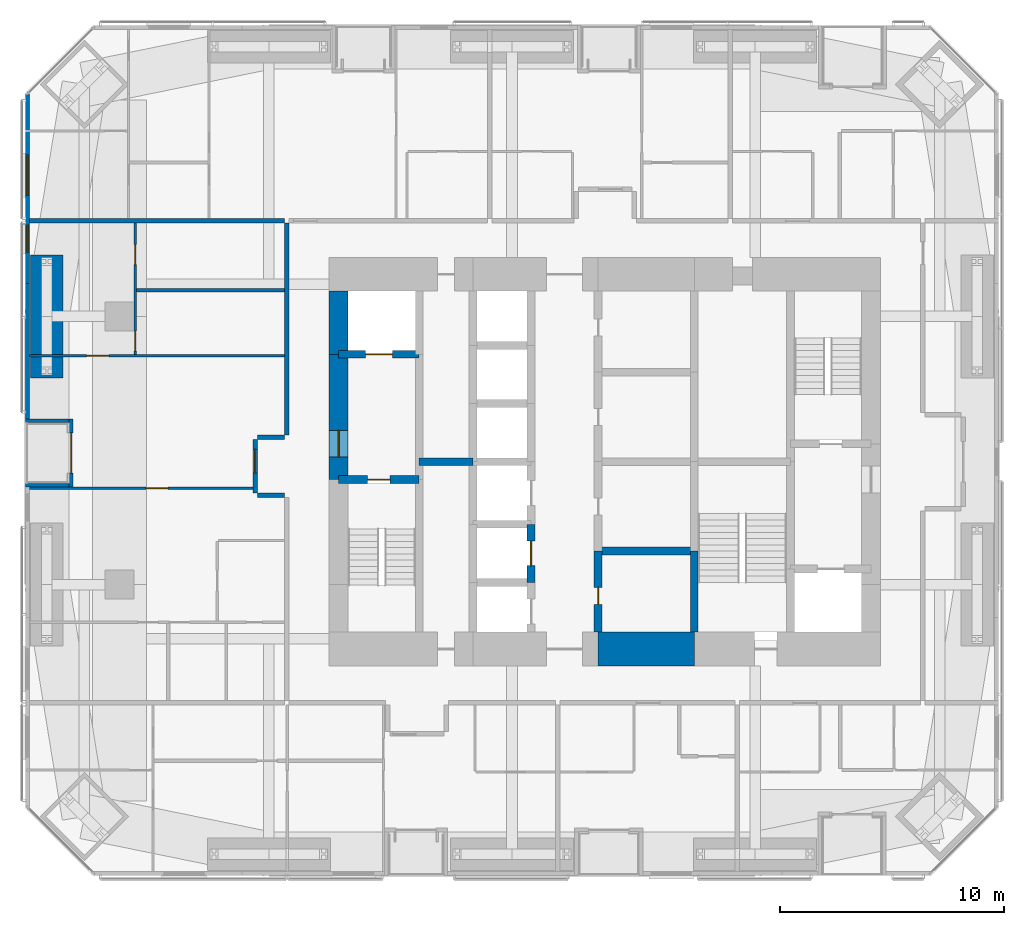
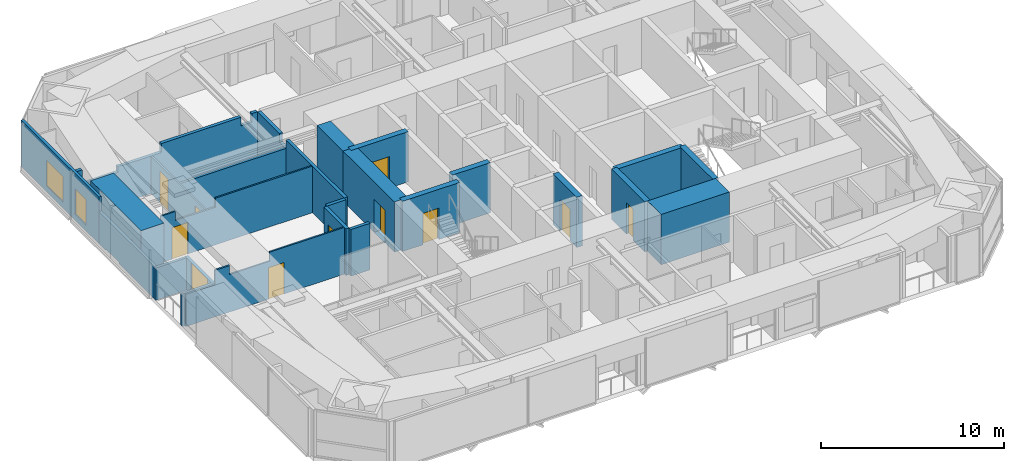
# One storey, part 18 of 23: 25 walls, 11 doors, 2 windows, 13 openings.
"""IFC4 building model written with IfcOpenShell, lengths in metres."""

from ifc_helpers import new_model, si_unit, direction, frame, frame_2d, origin, place, context, subcontext, project, spatial, polyline, rectangle, outline, extrude, material, layer, layer_set, constituent, constituent_set, type_object, element, fill, save


model = new_model("IFC4")

# Units and contexts
model_context = context("Model", 3, precision=1e-05, world=origin(), true_north=direction((0.0, 1.0)))
body_context = subcontext(model_context, "Body", "Model", "MODEL_VIEW")
ifc_project = project(units=[si_unit("LENGTHUNIT", "METRE"), si_unit("AREAUNIT", "SQUARE_METRE"), si_unit("VOLUMEUNIT", "CUBIC_METRE"), si_unit("PLANEANGLEUNIT", "RADIAN"), si_unit("MASSUNIT", "GRAM", prefix="KILO")], contexts=[model_context])

# Site, building, storey
site_placement = place(None, origin())
site = spatial("IfcSite", under=ifc_project, at=site_placement, CompositionType="ELEMENT")
building_placement = place(site_placement, origin())
building = spatial("IfcBuilding", under=site, at=building_placement, Name="Jalousie Tower", CompositionType="ELEMENT")
storey_placement = place(building_placement, frame((0.0, 0.0, 84.75)))
storey = spatial("IfcBuildingStorey", under=building, at=storey_placement, Name="L22", CompositionType="ELEMENT", Elevation=84.75)

# Walls
ifc_material_1 = material(Name="Concrete block ASTM C90", Category="concrete")
ifc_constituent_1 = constituent(ifc_material_1, Name="Body")
ifc_material_2 = material(Name="Render")
ifc_constituent_2 = constituent(ifc_material_2, Name="Finish")
ifc_constituent_set_1 = constituent_set(constituents=[ifc_constituent_1, ifc_constituent_2])
wall_type_1 = type_object("IfcWallType", Name="BATHROOM WALL 150", PredefinedType="PLUMBINGWALL", material=ifc_constituent_set_1)
wall_1_placement = place(storey_placement, frame((10.949951171875, 26.166748046875, 0.0), z_axis=(0.0, 0.0, 1.0), x_axis=(1.0, 0.0, 0.0)))
element("IfcWall", 1, at=wall_1_placement, inside=storey, type_object=wall_type_1, Name="Bathroom Wall 150 L22", PredefinedType="PLUMBINGWALL", context=body_context, shape_type="SweptSolid", body=[
    extrude(outline(polyline([(0.0, 0.0), (6.625, 0.0), (6.625, 3.110107421875), (6.625, 2.531005859375), (0.534912109375, 2.531005859375), (0.534912109375, 2.510009765625), (0.0, 2.510009765625), (0.0, 3.110107421875), (0.0, 0.0)])), frame((0.0, 0.074951171875, 0.0), z_axis=(0.0, -1.0, 0.0), x_axis=(1.0, 0.0, 0.0)), (0.0, 0.0, 1.0), 0.14990234375),
])
ifc_material_3 = material(Name="Concrete f'c 120 MPa", Category="concrete")
ifc_layer_1 = layer(ifc_material_3, 1.5)
ifc_layer_set_1 = layer_set([ifc_layer_1], Name="Concrete f'c 120 MPa")
wall_type_2 = type_object("IfcWallType", Name="CORE WALL 1500", PredefinedType="SHEAR", material=ifc_layer_set_1)
wall_2_placement = place(storey_placement, frame((31.60009765625, 10.125, 0.0), z_axis=(0.0, 0.0, 1.0), x_axis=(1.0, 0.0, 0.0)))
element("IfcWall", 2, at=wall_2_placement, inside=storey, type_object=wall_type_2, Name="Core wall SC L22", PredefinedType="SHEAR", context=body_context, shape_type="SweptSolid", body=[
    extrude(rectangle(XDim=4.2998046875, YDim=1.5, at=frame_2d((2.14990234375, 0.0))), origin(), (0.0, 0.0, 1.0), 3.35009765625),
])

# Wall, opening, door
ifc_material_4 = material(Name="Concrete f'c 120 MPa", Category="concrete")
ifc_layer_2 = layer(ifc_material_4, 0.35009765625)
ifc_layer_set_2 = layer_set([ifc_layer_2], Name="Concrete f'c 120 MPa")
wall_type_3 = type_object("IfcWallType", Name="CORE WALL 350", PredefinedType="SHEAR", material=ifc_layer_set_2)
wall_3_placement = place(storey_placement, frame((28.60009765625, 13.10009765625, 0.0), z_axis=(0.0, 0.0, 1.0), x_axis=(0.0, 1.0, 0.0)))
wall_3 = element("IfcWall", 3, at=wall_3_placement, inside=storey, type_object=wall_type_3, Name="Core wall X28.6B L22", PredefinedType="SHEAR", context=body_context, shape_type="SweptSolid", body=[
    extrude(rectangle(XDim=2.599853515625, YDim=0.35009765625, at=frame_2d((1.2998046875, 0.0))), origin(), (0.0, 0.0, 1.0), 3.35009765625),
])
opening_1_placement = place(wall_3_placement, frame((0.75, 0.0, 0.0)))
opening_1 = element("IfcOpeningElement", 4, at=opening_1_placement, cuts=wall_3, Name="Opening LD1", PredefinedType="OPENING", context=body_context, shape_type="SweptSolid", body=[
    extrude(rectangle(XDim=1.10009765625, YDim=2.10009765625, at=frame_2d((0.550048828125, 1.050048828125))), frame((0.0, 0.18505859375, 0.0), z_axis=(0.0, -1.0, 0.0), x_axis=(1.0, 0.0, 0.0)), (0.0, 0.0, 1.0), 0.3701171875),
])
ifc_material_5 = material(Name="Steel lift landing door", Category="steel")
door_type_1 = type_object("IfcDoorType", Name="LIFT LANDING DOOR 1100", OperationType="SLIDING_TO_LEFT", PredefinedType="DOOR", material=ifc_material_5)
door_1_placement = place(opening_1_placement, origin())
door_1 = element("IfcDoor", 5, at=door_1_placement, inside=storey, type_object=door_type_1, Name="Lift P2 landing door", OperationType="SLIDING_TO_LEFT", OverallHeight=2.10009765625, OverallWidth=1.10009765625, PredefinedType="DOOR", context=body_context, shape_type="SweptSolid", body=[
    extrude(rectangle(XDim=1.10009765625, YDim=2.10009765625, at=frame_2d((0.550048828125, 1.050048828125))), frame((0.0, 0.02490234375, 0.0), z_axis=(0.0, -1.0, 0.0), x_axis=(1.0, 0.0, 0.0)), (0.0, 0.0, 1.0), 0.050048828125),
])
fill(opening_1, door_1)

wall_4_placement = place(storey_placement, frame((31.60009765625, 10.875, 0.0), z_axis=(0.0, 0.0, 1.0), x_axis=(0.0, 1.0, 0.0)))
wall_4 = element("IfcWall", 6, at=wall_4_placement, inside=storey, type_object=wall_type_3, Name="Core wall X31.6A L22", PredefinedType="SHEAR", context=body_context, shape_type="SweptSolid", body=[
    extrude(rectangle(XDim=3.625, YDim=0.35009765625, at=frame_2d((1.8125, 0.0))), origin(), (0.0, 0.0, 1.0), 3.35009765625),
])
opening_2_placement = place(wall_4_placement, frame((1.25, 0.0, 0.0)))
opening_2 = element("IfcOpeningElement", 7, at=opening_2_placement, cuts=wall_4, Name="Opening D16", PredefinedType="OPENING", context=body_context, shape_type="SweptSolid", body=[
    extrude(rectangle(XDim=0.75, YDim=2.10009765625, at=frame_2d((0.375, 1.050048828125))), frame((0.0, 0.18505859375, 0.0), z_axis=(0.0, -1.0, 0.0), x_axis=(1.0, 0.0, 0.0)), (0.0, 0.0, 1.0), 0.3701171875),
])
ifc_material_6 = material(Name="Steel fire door", Category="steel")
door_type_2 = type_object("IfcDoorType", Name="RISER DOOR 750", OperationType="SINGLE_SWING_LEFT", PredefinedType="DOOR", material=ifc_material_6)
door_2_placement = place(opening_2_placement, frame((0.75, 0.0, 0.0), z_axis=(0.0, 0.0, 1.0), x_axis=(-1.0, 0.0, 0.0)))
door_2 = element("IfcDoor", 8, at=door_2_placement, inside=storey, type_object=door_type_2, Name="Refuse Room door", OperationType="SINGLE_SWING_RIGHT", OverallHeight=2.10009765625, OverallWidth=0.75, PredefinedType="DOOR", context=body_context, shape_type="SweptSolid", body=[
    extrude(rectangle(XDim=0.75, YDim=2.10009765625, at=frame_2d((0.375, 1.050048828125))), frame((0.0, 0.02490234375, 0.0), z_axis=(0.0, -1.0, 0.0), x_axis=(1.0, 0.0, 0.0)), (0.0, 0.0, 1.0), 0.050048828125),
])
fill(opening_2, door_2)

# Wall
wall_5_placement = place(storey_placement, frame((35.89990234375, 10.875, 0.0), z_axis=(0.0, 0.0, 1.0), x_axis=(0.0, 1.0, 0.0)))
element("IfcWall", 9, at=wall_5_placement, inside=storey, type_object=wall_type_3, Name="Core wall X35.9A L22", PredefinedType="SHEAR", context=body_context, shape_type="SweptSolid", body=[
    extrude(rectangle(XDim=3.625, YDim=0.35009765625, at=frame_2d((1.8125, 0.0))), origin(), (0.0, 0.0, 1.0), 3.35009765625),
])

# Wall, opening, door
wall_6_placement = place(storey_placement, frame((20.0, 17.699951171875, 0.0), z_axis=(0.0, 0.0, 1.0), x_axis=(1.0, 0.0, 0.0)))
wall_6 = element("IfcWall", 10, at=wall_6_placement, inside=storey, type_object=wall_type_3, Name="Core wall Y20-17.7 L22", PredefinedType="SHEAR", context=body_context, shape_type="SweptSolid", body=[
    extrude(rectangle(XDim=3.60009765625, YDim=0.35009765625, at=frame_2d((1.800048828125, 0.0))), origin(), (0.0, 0.0, 1.0), 3.35009765625),
])
opening_3_placement = place(wall_6_placement, frame((1.300048828125, 0.0, 0.0)))
opening_3 = element("IfcOpeningElement", 11, at=opening_3_placement, cuts=wall_6, Name="Opening D10", PredefinedType="OPENING", context=body_context, shape_type="SweptSolid", body=[
    extrude(rectangle(XDim=1.0, YDim=2.10009765625, at=frame_2d((0.5, 1.050048828125))), frame((0.0, 0.18505859375, 0.0), z_axis=(0.0, -1.0, 0.0), x_axis=(1.0, 0.0, 0.0)), (0.0, 0.0, 1.0), 0.3701171875),
])
ifc_material_7 = material(Name="Steel fire door", Category="steel")
door_type_3 = type_object("IfcDoorType", Name="STAIR DOOR 1000", OperationType="SINGLE_SWING_LEFT", PredefinedType="DOOR", material=ifc_material_7)
door_3_placement = place(opening_3_placement, frame((1.0, 0.0, 0.0), z_axis=(0.0, 0.0, 1.0), x_axis=(-1.0, 0.0, 0.0)))
door_3 = element("IfcDoor", 12, at=door_3_placement, inside=storey, type_object=door_type_3, Name="Exit stair A door", OperationType="SINGLE_SWING_RIGHT", OverallHeight=2.10009765625, OverallWidth=1.0, PredefinedType="DOOR", context=body_context, shape_type="SweptSolid", body=[
    extrude(rectangle(XDim=1.0, YDim=2.10009765625, at=frame_2d((0.5, 1.050048828125))), frame((0.0, 0.02490234375, 0.0), z_axis=(0.0, -1.0, 0.0), x_axis=(1.0, 0.0, 0.0)), (0.0, 0.0, 1.0), 0.050048828125),
])
fill(opening_3, door_3)

wall_7_placement = place(storey_placement, frame((20.0, 23.300048828125, 0.0), z_axis=(0.0, 0.0, 1.0), x_axis=(1.0, 0.0, 0.0)))
wall_7 = element("IfcWall", 13, at=wall_7_placement, inside=storey, type_object=wall_type_3, Name="Core wall Y20-23.3 L22", PredefinedType="SHEAR", context=body_context, shape_type="SweptSolid", body=[
    extrude(rectangle(XDim=3.60009765625, YDim=0.35009765625, at=frame_2d((1.800048828125, 0.0))), origin(), (0.0, 0.0, 1.0), 3.35009765625),
])
opening_4_placement = place(wall_7_placement, frame((1.199951171875, 0.0, 0.0)))
opening_4 = element("IfcOpeningElement", 14, at=opening_4_placement, cuts=wall_7, Name="Opening LD2", PredefinedType="OPENING", context=body_context, shape_type="SweptSolid", body=[
    extrude(rectangle(XDim=1.199951171875, YDim=2.10009765625, at=frame_2d((0.60009765625, 1.050048828125))), frame((0.0, 0.18505859375, 0.0), z_axis=(0.0, -1.0, 0.0), x_axis=(1.0, 0.0, 0.0)), (0.0, 0.0, 1.0), 0.3701171875),
])
ifc_material_8 = material(Name="Steel lift landing door", Category="steel")
door_type_4 = type_object("IfcDoorType", Name="LIFT LANDING DOOR 1200", OperationType="SLIDING_TO_LEFT", PredefinedType="DOOR", material=ifc_material_8)
door_4_placement = place(opening_4_placement, origin())
door_4 = element("IfcDoor", 15, at=door_4_placement, inside=storey, type_object=door_type_4, Name="Lift F1 landing door", OperationType="SLIDING_TO_LEFT", OverallHeight=2.10009765625, OverallWidth=1.199951171875, PredefinedType="DOOR", context=body_context, shape_type="SweptSolid", body=[
    extrude(rectangle(XDim=1.199951171875, YDim=2.10009765625, at=frame_2d((0.60009765625, 1.050048828125))), frame((0.0, 0.02490234375, 0.0), z_axis=(0.0, -1.0, 0.0), x_axis=(1.0, 0.0, 0.0)), (0.0, 0.0, 1.0), 0.050048828125),
])
fill(opening_4, door_4)

# Walls
wall_8_placement = place(storey_placement, frame((23.60009765625, 18.5, 0.0), z_axis=(0.0, 0.0, 1.0), x_axis=(1.0, 0.0, 0.0)))
element("IfcWall", 16, at=wall_8_placement, inside=storey, type_object=wall_type_3, Name="Core wall Y23.6-18.5 L22", PredefinedType="SHEAR", context=body_context, shape_type="SweptSolid", body=[
    extrude(rectangle(XDim=2.39990234375, YDim=0.35009765625, at=frame_2d((1.199951171875, 0.0))), origin(), (0.0, 0.0, 1.0), 3.35009765625),
])
wall_9_placement = place(storey_placement, frame((31.60009765625, 14.5, 0.0), z_axis=(0.0, 0.0, 1.0), x_axis=(1.0, 0.0, 0.0)))
element("IfcWall", 17, at=wall_9_placement, inside=storey, type_object=wall_type_3, Name="Core wall Y31.6-14.5 L22", PredefinedType="SHEAR", context=body_context, shape_type="SweptSolid", body=[
    extrude(rectangle(XDim=4.2998046875, YDim=0.35009765625, at=frame_2d((2.14990234375, 0.0))), origin(), (0.0, 0.0, 1.0), 3.35009765625),
])
ifc_material_9 = material(Name="Concrete f'c 120 MPa", Category="concrete")
ifc_layer_3 = layer(ifc_material_9, 0.85009765625)
ifc_layer_set_3 = layer_set([ifc_layer_3], Name="Concrete f'c 120 MPa")
wall_type_4 = type_object("IfcWallType", Name="CORE WALL 850", PredefinedType="SHEAR", material=ifc_layer_set_3)
wall_10_placement = place(storey_placement, frame((20.0, 26.125, 0.0), z_axis=(0.0, 0.0, 1.0), x_axis=(0.0, -1.0, 0.0)))
element("IfcWall", 18, at=wall_10_placement, inside=storey, type_object=wall_type_4, Name="Core wall WA L22", PredefinedType="SHEAR", context=body_context, shape_type="SweptSolid", body=[
    extrude(rectangle(XDim=2.824951171875, YDim=0.85009765625, at=frame_2d((1.41259765625, 0.0))), origin(), (0.0, 0.0, 1.0), 3.35009765625),
])

# Wall, opening, door
wall_11_placement = place(storey_placement, frame((20.0, 23.300048828125, 0.0), z_axis=(0.0, 0.0, 1.0), x_axis=(0.0, -1.0, 0.0)))
wall_11 = element("IfcWall", 19, at=wall_11_placement, inside=storey, type_object=wall_type_4, Name="Core wall WB L22", PredefinedType="SHEAR", context=body_context, shape_type="SweptSolid", body=[
    extrude(rectangle(XDim=5.60009765625, YDim=0.85009765625, at=frame_2d((2.800048828125, 0.0))), origin(), (0.0, 0.0, 1.0), 3.35009765625),
])
opening_5_placement = place(wall_11_placement, frame((3.39990234375, 0.0, 0.0)))
opening_5 = element("IfcOpeningElement", 20, at=opening_5_placement, cuts=wall_11, Name="Opening D11", PredefinedType="OPENING", context=body_context, shape_type="SweptSolid", body=[
    extrude(rectangle(XDim=1.199951171875, YDim=2.199951171875, at=frame_2d((0.60009765625, 1.10009765625))), frame((0.0, 0.43505859375, 0.0), z_axis=(0.0, -1.0, 0.0), x_axis=(1.0, 0.0, 0.0)), (0.0, 0.0, 1.0), 0.8701171875),
])
ifc_material_10 = material(Name="Steel fire door", Category="steel")
door_type_5 = type_object("IfcDoorType", Name="FIRE DOOR 1200", OperationType="SINGLE_SWING_LEFT", PredefinedType="DOOR", material=ifc_material_10)
door_5_placement = place(opening_5_placement, origin())
door_5 = element("IfcDoor", 21, at=door_5_placement, inside=storey, type_object=door_type_5, Name="Fire-fighting lobby A door", OperationType="SINGLE_SWING_RIGHT", OverallHeight=2.199951171875, OverallWidth=1.199951171875, PredefinedType="DOOR", context=body_context, shape_type="SweptSolid", body=[
    extrude(rectangle(XDim=1.199951171875, YDim=2.199951171875, at=frame_2d((0.60009765625, 1.10009765625))), frame((0.0, 0.02490234375, 0.0), z_axis=(0.0, -1.0, 0.0), x_axis=(1.0, 0.0, 0.0)), (0.0, 0.0, 1.0), 0.050048828125),
])
fill(opening_5, door_5)

# Wall
ifc_material_11 = material(Name="Concrete block ASTM C90", Category="concrete")
ifc_constituent_3 = constituent(ifc_material_11, Name="Body")
ifc_material_12 = material(Name="Render")
ifc_constituent_4 = constituent(ifc_material_12, Name="Finish")
ifc_constituent_set_2 = constituent_set(constituents=[ifc_constituent_3, ifc_constituent_4])
wall_type_5 = type_object("IfcWallType", Name="CORRIDOR WALL 200", PredefinedType="PARTITIONING", material=ifc_constituent_set_2)
wall_12_placement = place(storey_placement, frame((17.675048828125, 19.699951171875, 0.0), z_axis=(0.0, 0.0, 1.0), x_axis=(0.0, 1.0, 0.0)))
element("IfcWall", 22, at=wall_12_placement, inside=storey, type_object=wall_type_5, Name="Corridor Wall 200 L22", PredefinedType="PARTITIONING", context=body_context, shape_type="SweptSolid", body=[
    extrude(outline(polyline([(0.0, 0.0), (9.47509765625, 0.0), (9.47509765625, 3.110107421875), (7.0712890625, 3.110107421875), (7.0712890625, 2.531005859375), (6.37890625, 2.531005859375), (6.37890625, 3.110107421875), (0.0, 3.110107421875), (0.0, 0.0)])), frame((0.0, 0.10009765625, 0.0), z_axis=(0.0, -1.0, 0.0), x_axis=(1.0, 0.0, 0.0)), (0.0, 0.0, 1.0), 0.199951171875),
])

# Wall, opening, door
wall_13_placement = place(storey_placement, frame((16.27490234375, 17.10009765625, 0.0), z_axis=(0.0, 0.0, 1.0), x_axis=(0.0, 1.0, 0.0)))
wall_13 = element("IfcWall", 23, at=wall_13_placement, inside=storey, type_object=wall_type_5, Name="Corridor Wall 200 L22", PredefinedType="PARTITIONING", context=body_context, shape_type="SweptSolid", body=[
    extrude(rectangle(XDim=2.39990234375, YDim=0.199951171875, at=frame_2d((1.199951171875, 0.0))), origin(), (0.0, 0.0, 1.0), 3.110107421875),
])
opening_6_placement = place(wall_13_placement, frame((0.89990234375, 0.0, 0.0)))
opening_6 = element("IfcOpeningElement", 24, at=opening_6_placement, cuts=wall_13, Name="Opening D1", PredefinedType="OPENING", context=body_context, shape_type="SweptSolid", body=[
    extrude(rectangle(XDim=1.050048828125, YDim=2.199951171875, at=frame_2d((0.52490234375, 1.10009765625))), frame((0.0, 0.10986328125, 0.0), z_axis=(0.0, -1.0, 0.0), x_axis=(1.0, 0.0, 0.0)), (0.0, 0.0, 1.0), 0.219970703125),
])
ifc_material_13 = material(Name="Timber fire door", Category="wood")
door_type_6 = type_object("IfcDoorType", Name="APARTMENT ENTRANCE DOOR 1050", OperationType="SINGLE_SWING_LEFT", PredefinedType="DOOR", material=ifc_material_13)
door_6_placement = place(opening_6_placement, origin())
door_6 = element("IfcDoor", 25, at=door_6_placement, inside=storey, type_object=door_type_6, Name="Apartment 2207 entrance", OperationType="SINGLE_SWING_LEFT", OverallHeight=2.199951171875, OverallWidth=1.050048828125, PredefinedType="DOOR", context=body_context, shape_type="SweptSolid", body=[
    extrude(rectangle(XDim=1.050048828125, YDim=2.199951171875, at=frame_2d((0.52490234375, 1.10009765625))), frame((0.0, 0.02490234375, 0.0), z_axis=(0.0, -1.0, 0.0), x_axis=(1.0, 0.0, 0.0)), (0.0, 0.0, 1.0), 0.050048828125),
])
fill(opening_6, door_6)

# Walls
for number, where, z_axis, x_axis, name in (
    (26, (17.574951171875, 17.0, 0.0), (0.0, 0.0, 1.0), (-1.0, 0.0, 0.0), "Corridor Wall 200 L22"),
    (27, (17.574951171875, 19.60009765625, 0.0), (0.0, 0.0, 1.0), (-1.0, 0.0, 0.0), "Corridor Wall 200 L22"),
):
    element("IfcWall", number, at=place(storey_placement, frame(where, z_axis=z_axis, x_axis=x_axis)), inside=storey, type_object=wall_type_5, Name=name, PredefinedType="PARTITIONING", context=body_context, shape_type="SweptSolid", body=[
        extrude(rectangle(XDim=1.199951171875, YDim=0.199951171875, at=frame_2d((0.60009765625, 0.0))), origin(), (0.0, 0.0, 1.0), 3.110107421875),
    ])

# Wall, openings, windows
ifc_material_14 = material(Name="Concrete f'c 40 MPa", Category="concrete")
ifc_constituent_5 = constituent(ifc_material_14, Name="Body")
ifc_material_15 = material(Name="Render, pastel sea green")
ifc_constituent_6 = constituent(ifc_material_15, Name="Finish")
ifc_constituent_set_3 = constituent_set(constituents=[ifc_constituent_5, ifc_constituent_6])
wall_type_6 = type_object("IfcWallType", Name="EXTERNAL WALL 175 SEA GREEN RENDER", PredefinedType="SOLIDWALL", material=ifc_constituent_set_3)
wall_14_placement = place(storey_placement, frame((6.08740234375, 34.94873046875, 0.0), z_axis=(0.0, 0.0, 1.0), x_axis=(0.0, -1.0, 0.0)))
wall_14 = element("IfcWall", 28, at=wall_14_placement, inside=storey, type_object=wall_type_6, Name="External Wall 175 Sea Green Render L22-A", PredefinedType="SOLIDWALL", context=body_context, shape_type="SweptSolid", body=[
    extrude(rectangle(XDim=8.480712890625, YDim=0.175048828125, at=frame_2d((4.240234375, 0.0))), origin(), (0.0, 0.0, 1.0), 3.110107421875),
])
opening_7_placement = place(wall_14_placement, frame((2.741943359375, 0.0, 0.39990234375)))
opening_7 = element("IfcOpeningElement", 29, at=opening_7_placement, cuts=wall_14, Name="Opening W-BED170", PredefinedType="OPENING", context=body_context, shape_type="SweptSolid", body=[
    extrude(rectangle(XDim=1.800048828125, YDim=1.699951171875, at=frame_2d((0.89990234375, 0.85009765625))), frame((0.0, 0.097412109375, 0.0), z_axis=(0.0, -1.0, 0.0), x_axis=(1.0, 0.0, 0.0)), (0.0, 0.0, 1.0), 0.195068359375),
])
opening_8_placement = place(wall_14_placement, frame((5.873779296875, 0.0, 0.39990234375)))
opening_8 = element("IfcOpeningElement", 30, at=opening_8_placement, cuts=wall_14, Name="Opening W-COR170", PredefinedType="OPENING", context=body_context, shape_type="SweptSolid", body=[
    extrude(rectangle(XDim=1.199951171875, YDim=1.699951171875, at=frame_2d((0.60009765625, 0.85009765625))), frame((0.0, 0.097412109375, 0.0), z_axis=(0.0, -1.0, 0.0), x_axis=(1.0, 0.0, 0.0)), (0.0, 0.0, 1.0), 0.195068359375),
])
ifc_material_16 = material(Name="Aluminium frame, impact-rated glazing", Category="aluminium")
window_type_1 = type_object("IfcWindowType", Name="WINDOW BED 1800x1700", PartitioningType="SINGLE_PANEL", PredefinedType="WINDOW", material=ifc_material_16)
window_1_placement = place(opening_7_placement, origin())
window_1 = element("IfcWindow", 31, at=window_1_placement, inside=storey, type_object=window_type_1, Name="Apartment 2204 bedroom 1 window", OverallHeight=1.699951171875, OverallWidth=1.800048828125, PartitioningType="SINGLE_PANEL", PredefinedType="WINDOW", context=body_context, shape_type="SweptSolid", body=[
    extrude(rectangle(XDim=1.800048828125, YDim=1.699951171875, at=frame_2d((0.89990234375, 0.85009765625))), frame((0.0, 0.030029296875, 0.0), z_axis=(0.0, -1.0, 0.0), x_axis=(1.0, 0.0, 0.0)), (0.0, 0.0, 1.0), 0.06005859375),
])
fill(opening_7, window_1)
ifc_material_17 = material(Name="Aluminium frame, impact-rated glazing", Category="aluminium")
window_type_2 = type_object("IfcWindowType", Name="WINDOW COR 1200x1700", PartitioningType="SINGLE_PANEL", PredefinedType="WINDOW", material=ifc_material_17)
window_2_placement = place(opening_8_placement, origin())
window_2 = element("IfcWindow", 32, at=window_2_placement, inside=storey, type_object=window_type_2, Name="Apartment 2207 bedroom 2 window", OverallHeight=1.699951171875, OverallWidth=1.199951171875, PartitioningType="SINGLE_PANEL", PredefinedType="WINDOW", context=body_context, shape_type="SweptSolid", body=[
    extrude(rectangle(XDim=1.199951171875, YDim=1.699951171875, at=frame_2d((0.60009765625, 0.85009765625))), frame((0.0, 0.030029296875, 0.0), z_axis=(0.0, -1.0, 0.0), x_axis=(1.0, 0.0, 0.0)), (0.0, 0.0, 1.0), 0.06005859375),
])
fill(opening_8, window_2)

# Wall
wall_15_placement = place(storey_placement, frame((6.08740234375, 26.468017578125, 0.0), z_axis=(0.0, 0.0, 1.0), x_axis=(0.0, -1.0, 0.0)))
element("IfcWall", 33, at=wall_15_placement, inside=storey, type_object=wall_type_6, Name="External Wall 175 Sea Green Render L22-B", PredefinedType="SOLIDWALL", context=body_context, shape_type="SweptSolid", body=[
    extrude(outline(polyline([(2.22802734375, 0.091796875), (2.22802734375, 0.0), (6.051513671875, 0.0), (6.051513671875, 2.14990234375), (0.0, 2.14990234375), (0.0, 0.0), (0.7080078125, 0.0), (0.7080078125, 0.091796875), (2.22802734375, 0.091796875)])), frame((0.0, 0.08740234375, 0.0), z_axis=(0.0, -1.0, 0.0), x_axis=(1.0, 0.0, 0.0)), (0.0, 0.0, 1.0), 0.175048828125),
])

# Wall, opening, door
wall_16_placement = place(storey_placement, frame((8.03759765625, 20.416748046875, 0.0), z_axis=(0.0, 0.0, 1.0), x_axis=(0.0, -1.0, 0.0)))
wall_16 = element("IfcWall", 34, at=wall_16_placement, inside=storey, type_object=wall_type_6, Name="External Wall 175 Sea Green Render L22", PredefinedType="SOLIDWALL", context=body_context, shape_type="SweptSolid", body=[
    extrude(rectangle(XDim=3.058349609375, YDim=0.175048828125, at=frame_2d((1.529296875, 0.0))), origin(), (0.0, 0.0, 1.0), 2.14990234375),
])
opening_9_placement = place(wall_16_placement, frame((0.629150390625, 0.0, 0.0)))
opening_9 = element("IfcOpeningElement", 35, at=opening_9_placement, cuts=wall_16, Name="Opening D-BAL21", PredefinedType="OPENING", context=body_context, shape_type="SweptSolid", body=[
    extrude(rectangle(XDim=1.800048828125, YDim=2.10009765625, at=frame_2d((0.89990234375, 1.050048828125))), frame((0.0, 0.097412109375, 0.0), z_axis=(0.0, -1.0, 0.0), x_axis=(1.0, 0.0, 0.0)), (0.0, 0.0, 1.0), 0.195068359375),
])
ifc_material_18 = material(Name="Aluminium frame, impact-rated glazing", Category="aluminium")
door_type_7 = type_object("IfcDoorType", Name="BALCONY DOOR 1800x2100", OperationType="SLIDING_TO_LEFT", PredefinedType="DOOR", material=ifc_material_18)
door_7_placement = place(opening_9_placement, origin())
door_7 = element("IfcDoor", 36, at=door_7_placement, inside=storey, type_object=door_type_7, Name="Apartment 2207 living room loggia door", OperationType="SLIDING_TO_LEFT", OverallHeight=2.10009765625, OverallWidth=1.800048828125, PredefinedType="DOOR", context=body_context, shape_type="SweptSolid", body=[
    extrude(rectangle(XDim=1.800048828125, YDim=2.10009765625, at=frame_2d((0.89990234375, 1.050048828125))), frame((0.0, 0.02490234375, 0.0), z_axis=(0.0, -1.0, 0.0), x_axis=(1.0, 0.0, 0.0)), (0.0, 0.0, 1.0), 0.050048828125),
])
fill(opening_9, door_7)

# Walls
for number, where, z_axis, x_axis, name in (
    (37, (6.0, 20.3291015625, 0.0), (0.0, 0.0, 1.0), (1.0, 0.0, 0.0), "External Wall 175 Sea Green Render L22"),
    (38, (6.0, 17.44580078125, 0.0), (0.0, 0.0, 1.0), (1.0, 0.0, 0.0), "External Wall 175 Sea Green Render L22"),
):
    element("IfcWall", number, at=place(storey_placement, frame(where, z_axis=z_axis, x_axis=x_axis)), inside=storey, type_object=wall_type_6, Name=name, PredefinedType="SOLIDWALL", context=body_context, shape_type="SweptSolid", body=[
        extrude(rectangle(XDim=1.949951171875, YDim=0.175048828125, at=frame_2d((0.97509765625, 0.0))), origin(), (0.0, 0.0, 1.0), 2.14990234375),
    ])

# Wall, opening, door
ifc_material_19 = material(Name="Gypsum board", Category="gypsum")
ifc_constituent_7 = constituent(ifc_material_19, Name="Body")
ifc_material_20 = material(Name="Light-gauge steel studs ASTM A653 SS Grade 33", Category="steel")
ifc_constituent_8 = constituent(ifc_material_20, Name="Framing")
ifc_constituent_set_4 = constituent_set(constituents=[ifc_constituent_7, ifc_constituent_8])
wall_type_7 = type_object("IfcWallType", Name="PARTITION 100", PredefinedType="PARTITIONING", material=ifc_constituent_set_4)
wall_17_placement = place(storey_placement, frame((6.175048828125, 17.308349609375, 0.0), z_axis=(0.0, 0.0, 1.0), x_axis=(1.0, 0.0, 0.0)))
wall_17 = element("IfcWall", 39, at=wall_17_placement, inside=storey, type_object=wall_type_7, Name="Partition 100 L22", PredefinedType="PARTITIONING", context=body_context, shape_type="SweptSolid", body=[
    extrude(outline(polyline([(0.0, 0.0), (10.0, 0.0), (10.0, 3.110107421875), (5.284912109375, 3.110107421875), (5.284912109375, 2.510009765625), (2.764892578125, 2.510009765625), (2.764892578125, 3.110107421875), (1.8349609375, 3.110107421875), (1.8349609375, 2.14990234375), (0.0, 2.14990234375), (0.0, 3.110107421875), (0.0, 0.0)])), frame((0.0, 0.050048828125, 0.0), z_axis=(0.0, -1.0, 0.0), x_axis=(1.0, 0.0, 0.0)), (0.0, 0.0, 1.0), 0.10009765625),
])
opening_10_placement = place(wall_17_placement, frame((5.199951171875, 0.0, 0.0)))
opening_10 = element("IfcOpeningElement", 40, at=opening_10_placement, cuts=wall_17, Name="Opening D6", PredefinedType="OPENING", context=body_context, shape_type="SweptSolid", body=[
    extrude(rectangle(XDim=1.0, YDim=2.10009765625, at=frame_2d((0.5, 1.050048828125))), frame((0.0, 0.06005859375, 0.0), z_axis=(0.0, -1.0, 0.0), x_axis=(1.0, 0.0, 0.0)), (0.0, 0.0, 1.0), 0.1201171875),
])
ifc_material_21 = material(Name="Timber door", Category="wood")
door_type_8 = type_object("IfcDoorType", Name="INTERNAL DOOR 1000", OperationType="SINGLE_SWING_LEFT", PredefinedType="DOOR", material=ifc_material_21)
door_8_placement = place(opening_10_placement, frame((1.0, 0.0, 0.0), z_axis=(0.0, 0.0, 1.0), x_axis=(-1.0, 0.0, 0.0)))
door_8 = element("IfcDoor", 41, at=door_8_placement, inside=storey, type_object=door_type_8, Name="Apartment 2207 dining room door", OperationType="SINGLE_SWING_LEFT", OverallHeight=2.10009765625, OverallWidth=1.0, PredefinedType="DOOR", context=body_context, shape_type="SweptSolid", body=[
    extrude(rectangle(XDim=1.0, YDim=2.10009765625, at=frame_2d((0.5, 1.050048828125))), frame((0.0, 0.02490234375, 0.0), z_axis=(0.0, -1.0, 0.0), x_axis=(1.0, 0.0, 0.0)), (0.0, 0.0, 1.0), 0.050048828125),
])
fill(opening_10, door_8)

wall_18_placement = place(storey_placement, frame((6.175048828125, 23.24169921875, 0.0), z_axis=(0.0, 0.0, 1.0), x_axis=(1.0, 0.0, 0.0)))
wall_18 = element("IfcWall", 42, at=wall_18_placement, inside=storey, type_object=wall_type_7, Name="Partition 100 L22", PredefinedType="PARTITIONING", context=body_context, shape_type="SweptSolid", body=[
    extrude(outline(polyline([(0.0, 0.0), (11.39990234375, 0.0), (11.39990234375, 3.110107421875), (5.284912109375, 3.110107421875), (5.284912109375, 2.510009765625), (2.764892578125, 2.510009765625), (2.764892578125, 3.110107421875), (1.8349609375, 3.110107421875), (1.8349609375, 2.14990234375), (1.021240234375, 2.14990234375), (1.021240234375, 1.79833984375), (0.52880859375, 1.79833984375), (0.52880859375, 2.14990234375), (0.0, 2.14990234375), (0.0, 0.0)])), frame((0.0, 0.050048828125, 0.0), z_axis=(0.0, -1.0, 0.0), x_axis=(1.0, 0.0, 0.0)), (0.0, 0.0, 1.0), 0.10009765625),
])
opening_11_placement = place(wall_18_placement, frame((2.550048828125, 0.0, 0.0)))
opening_11 = element("IfcOpeningElement", 43, at=opening_11_placement, cuts=wall_18, Name="Opening D6", PredefinedType="OPENING", context=body_context, shape_type="SweptSolid", body=[
    extrude(rectangle(XDim=1.0, YDim=2.10009765625, at=frame_2d((0.5, 1.050048828125))), frame((0.0, 0.06005859375, 0.0), z_axis=(0.0, -1.0, 0.0), x_axis=(1.0, 0.0, 0.0)), (0.0, 0.0, 1.0), 0.1201171875),
])
door_9_placement = place(opening_11_placement, origin())
door_9 = element("IfcDoor", 44, at=door_9_placement, inside=storey, type_object=door_type_8, Name="Apartment 2207 bedroom 2 door", OperationType="SINGLE_SWING_LEFT", OverallHeight=2.10009765625, OverallWidth=1.0, PredefinedType="DOOR", context=body_context, shape_type="SweptSolid", body=[
    extrude(rectangle(XDim=1.0, YDim=2.10009765625, at=frame_2d((0.5, 1.050048828125))), frame((0.0, 0.02490234375, 0.0), z_axis=(0.0, -1.0, 0.0), x_axis=(1.0, 0.0, 0.0)), (0.0, 0.0, 1.0), 0.050048828125),
])
fill(opening_11, door_9)

# Wall, openings, doors
wall_19_placement = place(storey_placement, frame((10.89990234375, 23.291748046875, 0.0), z_axis=(0.0, 0.0, 1.0), x_axis=(0.0, 1.0, 0.0)))
wall_19 = element("IfcWall", 45, at=wall_19_placement, inside=storey, type_object=wall_type_7, Name="Partition 100 L22", PredefinedType="PARTITIONING", context=body_context, shape_type="SweptSolid", body=[
    extrude(outline(polyline([(0.0, 0.0), (5.88330078125, 0.0), (5.88330078125, 3.110107421875), (5.88330078125, 2.510009765625), (1.768310546875, 2.510009765625), (0.0, 2.510009765625), (0.0, 3.110107421875), (0.0, 0.0)])), frame((0.0, 0.050048828125, 0.0), z_axis=(0.0, -1.0, 0.0), x_axis=(1.0, 0.0, 0.0)), (0.0, 0.0, 1.0), 0.10009765625),
])
opening_12_placement = place(wall_19_placement, frame((0.14990234375, 0.0, 0.0)))
opening_12 = element("IfcOpeningElement", 46, at=opening_12_placement, cuts=wall_19, Name="Opening D7", PredefinedType="OPENING", context=body_context, shape_type="SweptSolid", body=[
    extrude(rectangle(XDim=0.89990234375, YDim=2.10009765625, at=frame_2d((0.449951171875, 1.050048828125))), frame((0.0, 0.06005859375, 0.0), z_axis=(0.0, -1.0, 0.0), x_axis=(1.0, 0.0, 0.0)), (0.0, 0.0, 1.0), 0.1201171875),
])
opening_13_placement = place(wall_19_placement, frame((4.0166015625, 0.0, 0.0)))
opening_13 = element("IfcOpeningElement", 47, at=opening_13_placement, cuts=wall_19, Name="Opening D7", PredefinedType="OPENING", context=body_context, shape_type="SweptSolid", body=[
    extrude(rectangle(XDim=0.89990234375, YDim=2.10009765625, at=frame_2d((0.449951171875, 1.050048828125))), frame((0.0, 0.06005859375, 0.0), z_axis=(0.0, -1.0, 0.0), x_axis=(1.0, 0.0, 0.0)), (0.0, 0.0, 1.0), 0.1201171875),
])
ifc_material_22 = material(Name="Timber door", Category="wood")
door_type_9 = type_object("IfcDoorType", Name="INTERNAL DOOR 900", OperationType="SINGLE_SWING_LEFT", PredefinedType="DOOR", material=ifc_material_22)
door_10_placement = place(opening_12_placement, frame((0.89990234375, 0.0, 0.0), z_axis=(0.0, 0.0, 1.0), x_axis=(-1.0, 0.0, 0.0)))
door_10 = element("IfcDoor", 48, at=door_10_placement, inside=storey, type_object=door_type_9, Name="Apartment 2207 bedroom 2 bathroom door", OperationType="SINGLE_SWING_RIGHT", OverallHeight=2.10009765625, OverallWidth=0.89990234375, PredefinedType="DOOR", context=body_context, shape_type="SweptSolid", body=[
    extrude(rectangle(XDim=0.89990234375, YDim=2.10009765625, at=frame_2d((0.449951171875, 1.050048828125))), frame((0.0, 0.02490234375, 0.0), z_axis=(0.0, -1.0, 0.0), x_axis=(1.0, 0.0, 0.0)), (0.0, 0.0, 1.0), 0.050048828125),
])
fill(opening_12, door_10)
door_11_placement = place(opening_13_placement, frame((0.89990234375, 0.0, 0.0), z_axis=(0.0, 0.0, 1.0), x_axis=(-1.0, 0.0, 0.0)))
door_11 = element("IfcDoor", 49, at=door_11_placement, inside=storey, type_object=door_type_9, Name="Apartment 2207 bedroom 2 dressing room door", OperationType="SINGLE_SWING_LEFT", OverallHeight=2.10009765625, OverallWidth=0.89990234375, PredefinedType="DOOR", context=body_context, shape_type="SweptSolid", body=[
    extrude(rectangle(XDim=0.89990234375, YDim=2.10009765625, at=frame_2d((0.449951171875, 1.050048828125))), frame((0.0, 0.02490234375, 0.0), z_axis=(0.0, -1.0, 0.0), x_axis=(1.0, 0.0, 0.0)), (0.0, 0.0, 1.0), 0.050048828125),
])
fill(opening_13, door_11)

# Walls
ifc_material_23 = material(Name="Concrete block ASTM C90", Category="concrete")
ifc_constituent_9 = constituent(ifc_material_23, Name="Body")
ifc_material_24 = material(Name="Render")
ifc_constituent_10 = constituent(ifc_material_24, Name="Finish")
ifc_constituent_set_5 = constituent_set(constituents=[ifc_constituent_9, ifc_constituent_10])
wall_type_8 = type_object("IfcWallType", Name="PARTY WALL 200", PredefinedType="PARTITIONING", material=ifc_constituent_set_5)
wall_20_placement = place(storey_placement, frame((6.0, 29.27490234375, 0.0), z_axis=(0.0, 0.0, 1.0), x_axis=(1.0, 0.0, 0.0)))
element("IfcWall", 50, at=wall_20_placement, inside=storey, type_object=wall_type_8, Name="Party Wall 200 L22", PredefinedType="PARTITIONING", context=body_context, shape_type="SweptSolid", body=[
    extrude(outline(polyline([(0.0, 0.0), (11.574951171875, 0.0), (11.574951171875, 3.110107421875), (11.22119140625, 3.110107421875), (11.22119140625, 2.531005859375), (10.52880859375, 2.531005859375), (10.52880859375, 3.110107421875), (5.510009765625, 3.110107421875), (5.510009765625, 2.510009765625), (2.9775390625, 2.510009765625), (2.9775390625, 2.531005859375), (2.767578125, 2.531005859375), (2.767578125, 2.14990234375), (0.518798828125, 2.14990234375), (0.518798828125, 3.110107421875), (0.0, 3.110107421875), (0.0, 0.0)])), frame((0.0, 0.10009765625, 0.0), z_axis=(0.0, -1.0, 0.0), x_axis=(1.0, 0.0, 0.0)), (0.0, 0.0, 1.0), 0.199951171875),
])
ifc_material_25 = material(Name="Concrete f'c 120 MPa", Category="concrete")
ifc_layer_4 = layer(ifc_material_25, 1.449951171875)
ifc_layer_set_4 = layer_set([ifc_layer_4], Name="Concrete f'c 120 MPa")
wall_type_9 = type_object("IfcWallType", Name="RC WALL PIER 1450", PredefinedType="SHEAR", material=ifc_layer_set_4)
wall_21_placement = place(storey_placement, frame((6.949951171875, 22.25, 0.0), z_axis=(0.0, 0.0, 1.0), x_axis=(0.0, 1.0, 0.0)))
element("IfcWall", 51, at=wall_21_placement, inside=storey, type_object=wall_type_9, Name="Wall pier 13 L22", PredefinedType="SHEAR", context=body_context, shape_type="SweptSolid", body=[
    extrude(rectangle(XDim=5.5, YDim=1.449951171875, at=frame_2d((2.75, 0.0))), origin(), (0.0, 0.0, 1.0), 3.35009765625),
])

save(model, "model.ifc")
